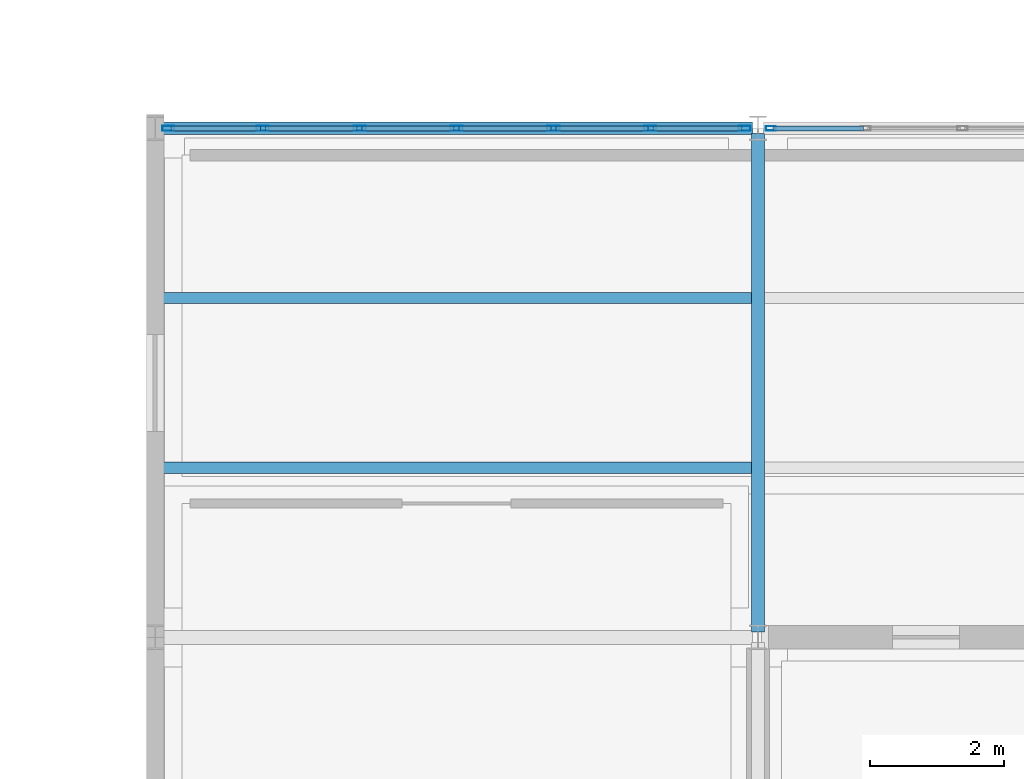
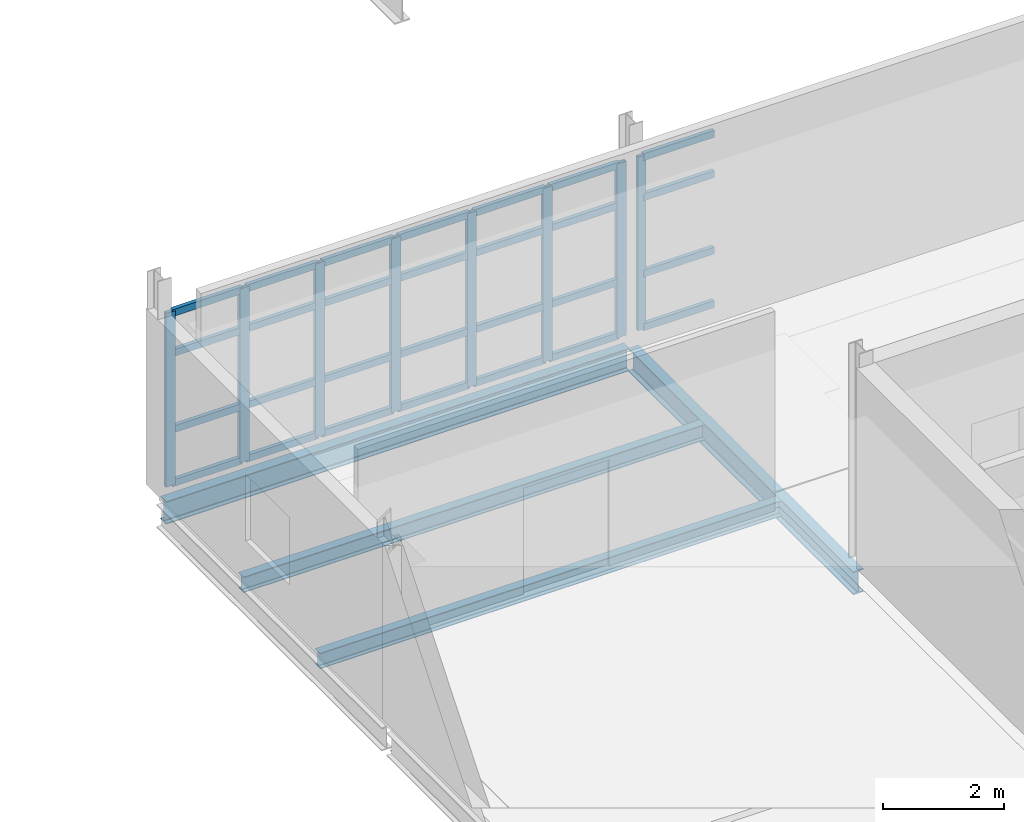
# One storey, part 17 of 96: 36 members, 4 beams, 2 elements without a shape of their own.
"""IFC4 building model written with IfcOpenShell, lengths in metres."""

from ifc_helpers import new_model, si_unit, direction, frame, origin, origin_2d, place, context, subcontext, project, spatial, hollow_rectangle, i_section, extrude, material, material_profile, profile_set, type_object, element, aggregate, save


model = new_model("IFC4")

# Units and contexts
model_context = context("Model", 3, precision=1e-05, world=origin(), true_north=direction((0.0, 1.0)))
body_context = subcontext(model_context, "Body", "Model", "MODEL_VIEW")
ifc_project = project(units=[si_unit("LENGTHUNIT", "METRE"), si_unit("AREAUNIT", "SQUARE_METRE"), si_unit("VOLUMEUNIT", "CUBIC_METRE"), si_unit("PLANEANGLEUNIT", "RADIAN"), si_unit("MASSUNIT", "GRAM", prefix="KILO")], contexts=[model_context])

# Site, building, storey
site_placement = place(None, origin())
site = spatial("IfcSite", under=ifc_project, at=site_placement, CompositionType="ELEMENT")
building_placement = place(site_placement, origin())
building = spatial("IfcBuilding", under=site, at=building_placement, Name="Caisbarro Railhouse Central Library", CompositionType="ELEMENT")
storey_placement = place(building_placement, frame((0.0, 0.0, 13.679931640625)))
storey = spatial("IfcBuildingStorey", under=building, at=storey_placement, Name="L03", CompositionType="ELEMENT", Elevation=13.679931640625)

# Beams
ifc_material_1 = material(Name="Steel ASTM A572 Grade 50", Category="steel")
ifc_material_profile_1 = material_profile(ifc_material_1, i_section(OverallWidth=0.194091796875, OverallDepth=0.468994140625, WebThickness=0.0126953125, FlangeThickness=0.0205078125, FilletRadius=0.01806640625, at=origin_2d()), Name="W460X106.0")
ifc_profile_set_1 = profile_set([ifc_material_profile_1], Name="Steel ASTM A572 Grade 50")
beam_type_1 = type_object("IfcBeamType", Name="BM-G07", PredefinedType="BEAM", material=ifc_profile_set_1)
beam_1_placement = place(storey_placement, frame((63.0, 15.280029296875, -0.474365234375), z_axis=(0.0, 1.0, 0.0), x_axis=(-1.0, 0.0, 0.0)))
element("IfcBeam", 1, at=beam_1_placement, inside=storey, type_object=beam_type_1, Name="G07 beam L03 #1784", PredefinedType="BEAM", context=body_context, shape_type="SweptSolid", body=[
    extrude(i_section(OverallWidth=0.194091796875, OverallDepth=0.468994140625, WebThickness=0.0126953125, FlangeThickness=0.0205078125, FilletRadius=0.01806640625, at=origin_2d()), origin(), (0.0, 0.0, 1.0), 7.43994140625),
])
ifc_material_profile_2 = material_profile(ifc_material_1, i_section(OverallWidth=0.1669921875, OverallDepth=0.31689453125, WebThickness=0.007568359375, FlangeThickness=0.01318359375, FilletRadius=0.011962890625, at=origin_2d()), Name="W310X52.0")
ifc_profile_set_2 = profile_set([ifc_material_profile_2], Name="Steel ASTM A572 Grade 50")
beam_type_2 = type_object("IfcBeamType", Name="BM-J02", PredefinedType="JOIST", material=ifc_profile_set_2)
for number, where, z_axis, x_axis, name in (
    (2, (54.096923828125, 17.7333984375, -0.3984375), (1.0, 0.0, 0.0), (0.0, 1.0, 0.0), "J02 beam L03 #1804"),
    (3, (54.096923828125, 20.2666015625, -0.3984375), (1.0, 0.0, 0.0), (0.0, 1.0, 0.0), "J02 beam L03 #1805"),
):
    element("IfcBeam", number, at=place(storey_placement, frame(where, z_axis=z_axis, x_axis=x_axis)), inside=storey, type_object=beam_type_2, Name=name, PredefinedType="JOIST", context=body_context, shape_type="SweptSolid", body=[
        extrude(i_section(OverallWidth=0.1669921875, OverallDepth=0.31689453125, WebThickness=0.007568359375, FlangeThickness=0.01318359375, FilletRadius=0.011962890625, at=origin_2d()), origin(), (0.0, 0.0, 1.0), 8.80615234375),
    ])
ifc_material_profile_3 = material_profile(ifc_material_1, i_section(OverallWidth=0.18994140625, OverallDepth=0.45703125, WebThickness=0.009033203125, FlangeThickness=0.014404296875, FilletRadius=0.01806640625, at=origin_2d()), Name="W460X74.0")
ifc_profile_set_3 = profile_set([ifc_material_profile_3], Name="Steel ASTM A572 Grade 50")
beam_type_3 = type_object("IfcBeamType", Name="BM-SP01", PredefinedType="SPANDREL", material=ifc_profile_set_3)
beam_2_placement = place(storey_placement, frame((54.080078125, 22.800048828125, -0.468505859375), z_axis=(1.0, 0.0, 0.0), x_axis=(0.0, 1.0, 0.0)))
element("IfcBeam", 4, at=beam_2_placement, inside=storey, type_object=beam_type_3, Name="SP01 beam L03 #1773", PredefinedType="SPANDREL", context=body_context, shape_type="SweptSolid", body=[
    extrude(i_section(OverallWidth=0.18994140625, OverallDepth=0.45703125, WebThickness=0.009033203125, FlangeThickness=0.014404296875, FilletRadius=0.01806640625, at=origin_2d()), origin(), (0.0, 0.0, 1.0), 8.83984375),
])

# Curtain wall, members
ifc_material_2 = material(Name="Anodised architectural aluminium", Category="aluminium")
curtain_wall_type = type_object("IfcCurtainWallType", Name="CW-CW02", PredefinedType="NOTDEFINED", material=ifc_material_2)
curtain_wall_1_placement = place(storey_placement, origin())
curtain_wall_1 = element("IfcCurtainWall", 5, at=curtain_wall_1_placement, inside=storey, type_object=curtain_wall_type, Name="CW02 curtain wall L03 #62", PredefinedType="NOTDEFINED")
ifc_material_profile_4 = material_profile(ifc_material_2, hollow_rectangle(XDim=0.074951171875, YDim=0.179931640625, WallThickness=0.00439453125, at=origin_2d()), Name="ALU-MUL-75X180")
ifc_profile_set_4 = profile_set([ifc_material_profile_4], Name="Anodised architectural aluminium")
member_type_1 = type_object("IfcMemberType", Name="CWM-M01", PredefinedType="MULLION", material=ifc_profile_set_4)
member_1_placement = place(storey_placement, frame((54.197509765625, 22.800048828125, 0.0), z_axis=(0.0, 0.0, 1.0), x_axis=(0.0, 1.0, 0.0)))
member_1 = element("IfcMember", 6, at=member_1_placement, type_object=member_type_1, Name="CW02 mullion 1", PredefinedType="MULLION", context=body_context, shape_type="SweptSolid", body=[
    extrude(hollow_rectangle(XDim=0.074951171875, YDim=0.179931640625, WallThickness=0.00439453125, at=origin_2d()), origin(), (0.0, 0.0, 1.0), 3.510009765625),
])
member_2_placement = place(storey_placement, frame((55.606689453125, 22.800048828125, 0.0), z_axis=(0.0, 0.0, 1.0), x_axis=(0.0, 1.0, 0.0)))
member_2 = element("IfcMember", 7, at=member_2_placement, type_object=member_type_1, Name="CW02 mullion 2", PredefinedType="MULLION", context=body_context, shape_type="SweptSolid", body=[
    extrude(hollow_rectangle(XDim=0.074951171875, YDim=0.179931640625, WallThickness=0.00439453125, at=origin_2d()), origin(), (0.0, 0.0, 1.0), 3.510009765625),
])
member_3_placement = place(storey_placement, frame((57.05322265625, 22.800048828125, 0.0), z_axis=(0.0, 0.0, 1.0), x_axis=(0.0, 1.0, 0.0)))
member_3 = element("IfcMember", 8, at=member_3_placement, type_object=member_type_1, Name="CW02 mullion 3", PredefinedType="MULLION", context=body_context, shape_type="SweptSolid", body=[
    extrude(hollow_rectangle(XDim=0.074951171875, YDim=0.179931640625, WallThickness=0.00439453125, at=origin_2d()), origin(), (0.0, 0.0, 1.0), 3.510009765625),
])
member_4_placement = place(storey_placement, frame((58.5, 22.800048828125, 0.0), z_axis=(0.0, 0.0, 1.0), x_axis=(0.0, 1.0, 0.0)))
member_4 = element("IfcMember", 9, at=member_4_placement, type_object=member_type_1, Name="CW02 mullion 4", PredefinedType="MULLION", context=body_context, shape_type="SweptSolid", body=[
    extrude(hollow_rectangle(XDim=0.074951171875, YDim=0.179931640625, WallThickness=0.00439453125, at=origin_2d()), origin(), (0.0, 0.0, 1.0), 3.510009765625),
])
member_5_placement = place(storey_placement, frame((59.94677734375, 22.800048828125, 0.0), z_axis=(0.0, 0.0, 1.0), x_axis=(0.0, 1.0, 0.0)))
member_5 = element("IfcMember", 10, at=member_5_placement, type_object=member_type_1, Name="CW02 mullion 5", PredefinedType="MULLION", context=body_context, shape_type="SweptSolid", body=[
    extrude(hollow_rectangle(XDim=0.074951171875, YDim=0.179931640625, WallThickness=0.00439453125, at=origin_2d()), origin(), (0.0, 0.0, 1.0), 3.510009765625),
])
member_6_placement = place(storey_placement, frame((61.393310546875, 22.800048828125, 0.0), z_axis=(0.0, 0.0, 1.0), x_axis=(0.0, 1.0, 0.0)))
member_6 = element("IfcMember", 11, at=member_6_placement, type_object=member_type_1, Name="CW02 mullion 6", PredefinedType="MULLION", context=body_context, shape_type="SweptSolid", body=[
    extrude(hollow_rectangle(XDim=0.074951171875, YDim=0.179931640625, WallThickness=0.00439453125, at=origin_2d()), origin(), (0.0, 0.0, 1.0), 3.510009765625),
])
member_7_placement = place(storey_placement, frame((62.802490234375, 22.800048828125, 0.0), z_axis=(0.0, 0.0, 1.0), x_axis=(0.0, 1.0, 0.0)))
member_7 = element("IfcMember", 12, at=member_7_placement, type_object=member_type_1, Name="CW02 mullion 7", PredefinedType="MULLION", context=body_context, shape_type="SweptSolid", body=[
    extrude(hollow_rectangle(XDim=0.074951171875, YDim=0.179931640625, WallThickness=0.00439453125, at=origin_2d()), origin(), (0.0, 0.0, 1.0), 3.510009765625),
])

# Curtain wall, member
curtain_wall_2_placement = place(storey_placement, origin())
curtain_wall_2 = element("IfcCurtainWall", 13, at=curtain_wall_2_placement, inside=storey, type_object=curtain_wall_type, Name="CW02 curtain wall L03 #63", PredefinedType="NOTDEFINED")
ifc_material_profile_5 = material_profile(ifc_material_2, hollow_rectangle(XDim=0.06494140625, YDim=0.14990234375, WallThickness=0.00390625, at=origin_2d()), Name="ALU-MUL-65X150")
ifc_profile_set_5 = profile_set([ifc_material_profile_5], Name="Anodised architectural aluminium")
member_type_2 = type_object("IfcMemberType", Name="CWM-M02", PredefinedType="MULLION", material=ifc_profile_set_5)
member_8_placement = place(storey_placement, frame((63.1923828125, 22.800048828125, 0.0), z_axis=(0.0, 0.0, 1.0), x_axis=(0.0, 1.0, 0.0)))
member_8 = element("IfcMember", 14, at=member_8_placement, type_object=member_type_2, Name="CW02 mullion 1", PredefinedType="MULLION", context=body_context, shape_type="SweptSolid", body=[
    extrude(hollow_rectangle(XDim=0.06494140625, YDim=0.14990234375, WallThickness=0.00390625, at=origin_2d()), origin(), (0.0, 0.0, 1.0), 3.510009765625),
])

# Member
ifc_material_profile_6 = material_profile(ifc_material_2, hollow_rectangle(XDim=0.074951171875, YDim=0.139892578125, WallThickness=0.00390625, at=origin_2d()), Name="ALU-TRN-75X140")
ifc_profile_set_6 = profile_set([ifc_material_profile_6], Name="Anodised architectural aluminium")
member_type_3 = type_object("IfcMemberType", Name="CWT-T01", PredefinedType="USERDEFINED", material=ifc_profile_set_6)
member_9_placement = place(storey_placement, frame((54.235107421875, 22.800048828125, 0.03759765625), z_axis=(1.0, 0.0, 0.0), x_axis=(0.0, 1.0, 0.0)))
member_9 = element("IfcMember", 15, at=member_9_placement, type_object=member_type_3, Name="CW02 transom 1.1", ObjectType="TRANSOM", PredefinedType="USERDEFINED", context=body_context, shape_type="SweptSolid", body=[
    extrude(hollow_rectangle(XDim=0.074951171875, YDim=0.139892578125, WallThickness=0.00390625, at=origin_2d()), origin(), (0.0, 0.0, 1.0), 1.333984375),
])

member_10_placement = place(storey_placement, frame((54.235107421875, 22.800048828125, 1.1201171875), z_axis=(1.0, 0.0, 0.0), x_axis=(0.0, 1.0, 0.0)))
member_10 = element("IfcMember", 16, at=member_10_placement, type_object=member_type_3, Name="CW02 transom 1.2", ObjectType="TRANSOM", PredefinedType="USERDEFINED", context=body_context, shape_type="SweptSolid", body=[
    extrude(hollow_rectangle(XDim=0.074951171875, YDim=0.139892578125, WallThickness=0.00390625, at=origin_2d()), origin(), (0.0, 0.0, 1.0), 1.333984375),
])

member_11_placement = place(storey_placement, frame((54.235107421875, 22.800048828125, 2.66015625), z_axis=(1.0, 0.0, 0.0), x_axis=(0.0, 1.0, 0.0)))
member_11 = element("IfcMember", 17, at=member_11_placement, type_object=member_type_3, Name="CW02 transom 1.3", ObjectType="TRANSOM", PredefinedType="USERDEFINED", context=body_context, shape_type="SweptSolid", body=[
    extrude(hollow_rectangle(XDim=0.074951171875, YDim=0.139892578125, WallThickness=0.00390625, at=origin_2d()), origin(), (0.0, 0.0, 1.0), 1.333984375),
])

member_12_placement = place(storey_placement, frame((54.235107421875, 22.800048828125, 3.47265625), z_axis=(1.0, 0.0, 0.0), x_axis=(0.0, 1.0, 0.0)))
member_12 = element("IfcMember", 18, at=member_12_placement, type_object=member_type_3, Name="CW02 transom 1.4", ObjectType="TRANSOM", PredefinedType="USERDEFINED", context=body_context, shape_type="SweptSolid", body=[
    extrude(hollow_rectangle(XDim=0.074951171875, YDim=0.139892578125, WallThickness=0.00390625, at=origin_2d()), origin(), (0.0, 0.0, 1.0), 1.333984375),
])

member_13_placement = place(storey_placement, frame((55.644287109375, 22.800048828125, 0.03759765625), z_axis=(1.0, 0.0, 0.0), x_axis=(0.0, 1.0, 0.0)))
member_13 = element("IfcMember", 19, at=member_13_placement, type_object=member_type_3, Name="CW02 transom 2.1", ObjectType="TRANSOM", PredefinedType="USERDEFINED", context=body_context, shape_type="SweptSolid", body=[
    extrude(hollow_rectangle(XDim=0.074951171875, YDim=0.139892578125, WallThickness=0.00390625, at=origin_2d()), origin(), (0.0, 0.0, 1.0), 1.37158203125),
])

member_14_placement = place(storey_placement, frame((55.644287109375, 22.800048828125, 1.1201171875), z_axis=(1.0, 0.0, 0.0), x_axis=(0.0, 1.0, 0.0)))
member_14 = element("IfcMember", 20, at=member_14_placement, type_object=member_type_3, Name="CW02 transom 2.2", ObjectType="TRANSOM", PredefinedType="USERDEFINED", context=body_context, shape_type="SweptSolid", body=[
    extrude(hollow_rectangle(XDim=0.074951171875, YDim=0.139892578125, WallThickness=0.00390625, at=origin_2d()), origin(), (0.0, 0.0, 1.0), 1.37158203125),
])

member_15_placement = place(storey_placement, frame((55.644287109375, 22.800048828125, 2.66015625), z_axis=(1.0, 0.0, 0.0), x_axis=(0.0, 1.0, 0.0)))
member_15 = element("IfcMember", 21, at=member_15_placement, type_object=member_type_3, Name="CW02 transom 2.3", ObjectType="TRANSOM", PredefinedType="USERDEFINED", context=body_context, shape_type="SweptSolid", body=[
    extrude(hollow_rectangle(XDim=0.074951171875, YDim=0.139892578125, WallThickness=0.00390625, at=origin_2d()), origin(), (0.0, 0.0, 1.0), 1.37158203125),
])

member_16_placement = place(storey_placement, frame((55.644287109375, 22.800048828125, 3.47265625), z_axis=(1.0, 0.0, 0.0), x_axis=(0.0, 1.0, 0.0)))
member_16 = element("IfcMember", 22, at=member_16_placement, type_object=member_type_3, Name="CW02 transom 2.4", ObjectType="TRANSOM", PredefinedType="USERDEFINED", context=body_context, shape_type="SweptSolid", body=[
    extrude(hollow_rectangle(XDim=0.074951171875, YDim=0.139892578125, WallThickness=0.00390625, at=origin_2d()), origin(), (0.0, 0.0, 1.0), 1.37158203125),
])

member_17_placement = place(storey_placement, frame((57.0908203125, 22.800048828125, 0.03759765625), z_axis=(1.0, 0.0, 0.0), x_axis=(0.0, 1.0, 0.0)))
member_17 = element("IfcMember", 23, at=member_17_placement, type_object=member_type_3, Name="CW02 transom 3.1", ObjectType="TRANSOM", PredefinedType="USERDEFINED", context=body_context, shape_type="SweptSolid", body=[
    extrude(hollow_rectangle(XDim=0.074951171875, YDim=0.139892578125, WallThickness=0.00390625, at=origin_2d()), origin(), (0.0, 0.0, 1.0), 1.37158203125),
])

member_18_placement = place(storey_placement, frame((57.0908203125, 22.800048828125, 1.1201171875), z_axis=(1.0, 0.0, 0.0), x_axis=(0.0, 1.0, 0.0)))
member_18 = element("IfcMember", 24, at=member_18_placement, type_object=member_type_3, Name="CW02 transom 3.2", ObjectType="TRANSOM", PredefinedType="USERDEFINED", context=body_context, shape_type="SweptSolid", body=[
    extrude(hollow_rectangle(XDim=0.074951171875, YDim=0.139892578125, WallThickness=0.00390625, at=origin_2d()), origin(), (0.0, 0.0, 1.0), 1.37158203125),
])

member_19_placement = place(storey_placement, frame((57.0908203125, 22.800048828125, 2.66015625), z_axis=(1.0, 0.0, 0.0), x_axis=(0.0, 1.0, 0.0)))
member_19 = element("IfcMember", 25, at=member_19_placement, type_object=member_type_3, Name="CW02 transom 3.3", ObjectType="TRANSOM", PredefinedType="USERDEFINED", context=body_context, shape_type="SweptSolid", body=[
    extrude(hollow_rectangle(XDim=0.074951171875, YDim=0.139892578125, WallThickness=0.00390625, at=origin_2d()), origin(), (0.0, 0.0, 1.0), 1.37158203125),
])

member_20_placement = place(storey_placement, frame((57.0908203125, 22.800048828125, 3.47265625), z_axis=(1.0, 0.0, 0.0), x_axis=(0.0, 1.0, 0.0)))
member_20 = element("IfcMember", 26, at=member_20_placement, type_object=member_type_3, Name="CW02 transom 3.4", ObjectType="TRANSOM", PredefinedType="USERDEFINED", context=body_context, shape_type="SweptSolid", body=[
    extrude(hollow_rectangle(XDim=0.074951171875, YDim=0.139892578125, WallThickness=0.00390625, at=origin_2d()), origin(), (0.0, 0.0, 1.0), 1.37158203125),
])

member_21_placement = place(storey_placement, frame((58.53759765625, 22.800048828125, 0.03759765625), z_axis=(1.0, 0.0, 0.0), x_axis=(0.0, 1.0, 0.0)))
member_21 = element("IfcMember", 27, at=member_21_placement, type_object=member_type_3, Name="CW02 transom 4.1", ObjectType="TRANSOM", PredefinedType="USERDEFINED", context=body_context, shape_type="SweptSolid", body=[
    extrude(hollow_rectangle(XDim=0.074951171875, YDim=0.139892578125, WallThickness=0.00390625, at=origin_2d()), origin(), (0.0, 0.0, 1.0), 1.37158203125),
])

member_22_placement = place(storey_placement, frame((58.53759765625, 22.800048828125, 1.1201171875), z_axis=(1.0, 0.0, 0.0), x_axis=(0.0, 1.0, 0.0)))
member_22 = element("IfcMember", 28, at=member_22_placement, type_object=member_type_3, Name="CW02 transom 4.2", ObjectType="TRANSOM", PredefinedType="USERDEFINED", context=body_context, shape_type="SweptSolid", body=[
    extrude(hollow_rectangle(XDim=0.074951171875, YDim=0.139892578125, WallThickness=0.00390625, at=origin_2d()), origin(), (0.0, 0.0, 1.0), 1.37158203125),
])

member_23_placement = place(storey_placement, frame((58.53759765625, 22.800048828125, 2.66015625), z_axis=(1.0, 0.0, 0.0), x_axis=(0.0, 1.0, 0.0)))
member_23 = element("IfcMember", 29, at=member_23_placement, type_object=member_type_3, Name="CW02 transom 4.3", ObjectType="TRANSOM", PredefinedType="USERDEFINED", context=body_context, shape_type="SweptSolid", body=[
    extrude(hollow_rectangle(XDim=0.074951171875, YDim=0.139892578125, WallThickness=0.00390625, at=origin_2d()), origin(), (0.0, 0.0, 1.0), 1.37158203125),
])

member_24_placement = place(storey_placement, frame((58.53759765625, 22.800048828125, 3.47265625), z_axis=(1.0, 0.0, 0.0), x_axis=(0.0, 1.0, 0.0)))
member_24 = element("IfcMember", 30, at=member_24_placement, type_object=member_type_3, Name="CW02 transom 4.4", ObjectType="TRANSOM", PredefinedType="USERDEFINED", context=body_context, shape_type="SweptSolid", body=[
    extrude(hollow_rectangle(XDim=0.074951171875, YDim=0.139892578125, WallThickness=0.00390625, at=origin_2d()), origin(), (0.0, 0.0, 1.0), 1.37158203125),
])

member_25_placement = place(storey_placement, frame((59.984130859375, 22.800048828125, 0.03759765625), z_axis=(1.0, 0.0, 0.0), x_axis=(0.0, 1.0, 0.0)))
member_25 = element("IfcMember", 31, at=member_25_placement, type_object=member_type_3, Name="CW02 transom 5.1", ObjectType="TRANSOM", PredefinedType="USERDEFINED", context=body_context, shape_type="SweptSolid", body=[
    extrude(hollow_rectangle(XDim=0.074951171875, YDim=0.139892578125, WallThickness=0.00390625, at=origin_2d()), origin(), (0.0, 0.0, 1.0), 1.37158203125),
])

member_26_placement = place(storey_placement, frame((59.984130859375, 22.800048828125, 1.1201171875), z_axis=(1.0, 0.0, 0.0), x_axis=(0.0, 1.0, 0.0)))
member_26 = element("IfcMember", 32, at=member_26_placement, type_object=member_type_3, Name="CW02 transom 5.2", ObjectType="TRANSOM", PredefinedType="USERDEFINED", context=body_context, shape_type="SweptSolid", body=[
    extrude(hollow_rectangle(XDim=0.074951171875, YDim=0.139892578125, WallThickness=0.00390625, at=origin_2d()), origin(), (0.0, 0.0, 1.0), 1.37158203125),
])

member_27_placement = place(storey_placement, frame((59.984130859375, 22.800048828125, 2.66015625), z_axis=(1.0, 0.0, 0.0), x_axis=(0.0, 1.0, 0.0)))
member_27 = element("IfcMember", 33, at=member_27_placement, type_object=member_type_3, Name="CW02 transom 5.3", ObjectType="TRANSOM", PredefinedType="USERDEFINED", context=body_context, shape_type="SweptSolid", body=[
    extrude(hollow_rectangle(XDim=0.074951171875, YDim=0.139892578125, WallThickness=0.00390625, at=origin_2d()), origin(), (0.0, 0.0, 1.0), 1.37158203125),
])

member_28_placement = place(storey_placement, frame((59.984130859375, 22.800048828125, 3.47265625), z_axis=(1.0, 0.0, 0.0), x_axis=(0.0, 1.0, 0.0)))
member_28 = element("IfcMember", 34, at=member_28_placement, type_object=member_type_3, Name="CW02 transom 5.4", ObjectType="TRANSOM", PredefinedType="USERDEFINED", context=body_context, shape_type="SweptSolid", body=[
    extrude(hollow_rectangle(XDim=0.074951171875, YDim=0.139892578125, WallThickness=0.00390625, at=origin_2d()), origin(), (0.0, 0.0, 1.0), 1.37158203125),
])

member_29_placement = place(storey_placement, frame((61.430908203125, 22.800048828125, 0.03759765625), z_axis=(1.0, 0.0, 0.0), x_axis=(0.0, 1.0, 0.0)))
member_29 = element("IfcMember", 35, at=member_29_placement, type_object=member_type_3, Name="CW02 transom 6.1", ObjectType="TRANSOM", PredefinedType="USERDEFINED", context=body_context, shape_type="SweptSolid", body=[
    extrude(hollow_rectangle(XDim=0.074951171875, YDim=0.139892578125, WallThickness=0.00390625, at=origin_2d()), origin(), (0.0, 0.0, 1.0), 1.333984375),
])

member_30_placement = place(storey_placement, frame((61.430908203125, 22.800048828125, 1.1201171875), z_axis=(1.0, 0.0, 0.0), x_axis=(0.0, 1.0, 0.0)))
member_30 = element("IfcMember", 36, at=member_30_placement, type_object=member_type_3, Name="CW02 transom 6.2", ObjectType="TRANSOM", PredefinedType="USERDEFINED", context=body_context, shape_type="SweptSolid", body=[
    extrude(hollow_rectangle(XDim=0.074951171875, YDim=0.139892578125, WallThickness=0.00390625, at=origin_2d()), origin(), (0.0, 0.0, 1.0), 1.333984375),
])

member_31_placement = place(storey_placement, frame((61.430908203125, 22.800048828125, 2.66015625), z_axis=(1.0, 0.0, 0.0), x_axis=(0.0, 1.0, 0.0)))
member_31 = element("IfcMember", 37, at=member_31_placement, type_object=member_type_3, Name="CW02 transom 6.3", ObjectType="TRANSOM", PredefinedType="USERDEFINED", context=body_context, shape_type="SweptSolid", body=[
    extrude(hollow_rectangle(XDim=0.074951171875, YDim=0.139892578125, WallThickness=0.00390625, at=origin_2d()), origin(), (0.0, 0.0, 1.0), 1.333984375),
])

member_32_placement = place(storey_placement, frame((61.430908203125, 22.800048828125, 3.47265625), z_axis=(1.0, 0.0, 0.0), x_axis=(0.0, 1.0, 0.0)))
member_32 = element("IfcMember", 38, at=member_32_placement, type_object=member_type_3, Name="CW02 transom 6.4", ObjectType="TRANSOM", PredefinedType="USERDEFINED", context=body_context, shape_type="SweptSolid", body=[
    extrude(hollow_rectangle(XDim=0.074951171875, YDim=0.139892578125, WallThickness=0.00390625, at=origin_2d()), origin(), (0.0, 0.0, 1.0), 1.333984375),
])

aggregate(curtain_wall_1, [member_1, member_2, member_3, member_4, member_5, member_6, member_7, member_9, member_10, member_11, member_12, member_13, member_14, member_15, member_16, member_17, member_18, member_19, member_20, member_21, member_22, member_23, member_24, member_25, member_26, member_27, member_28, member_29, member_30, member_31, member_32])

member_33_placement = place(storey_placement, frame((63.22509765625, 22.800048828125, 0.03759765625), z_axis=(1.0, 0.0, 0.0), x_axis=(0.0, 1.0, 0.0)))
member_33 = element("IfcMember", 39, at=member_33_placement, type_object=member_type_3, Name="CW02 transom 1.1", ObjectType="TRANSOM", PredefinedType="USERDEFINED", context=body_context, shape_type="SweptSolid", body=[
    extrude(hollow_rectangle(XDim=0.074951171875, YDim=0.139892578125, WallThickness=0.00390625, at=origin_2d()), origin(), (0.0, 0.0, 1.0), 1.34912109375),
])

member_34_placement = place(storey_placement, frame((63.22509765625, 22.800048828125, 1.1201171875), z_axis=(1.0, 0.0, 0.0), x_axis=(0.0, 1.0, 0.0)))
member_34 = element("IfcMember", 40, at=member_34_placement, type_object=member_type_3, Name="CW02 transom 1.2", ObjectType="TRANSOM", PredefinedType="USERDEFINED", context=body_context, shape_type="SweptSolid", body=[
    extrude(hollow_rectangle(XDim=0.074951171875, YDim=0.139892578125, WallThickness=0.00390625, at=origin_2d()), origin(), (0.0, 0.0, 1.0), 1.34912109375),
])

member_35_placement = place(storey_placement, frame((63.22509765625, 22.800048828125, 2.66015625), z_axis=(1.0, 0.0, 0.0), x_axis=(0.0, 1.0, 0.0)))
member_35 = element("IfcMember", 41, at=member_35_placement, type_object=member_type_3, Name="CW02 transom 1.3", ObjectType="TRANSOM", PredefinedType="USERDEFINED", context=body_context, shape_type="SweptSolid", body=[
    extrude(hollow_rectangle(XDim=0.074951171875, YDim=0.139892578125, WallThickness=0.00390625, at=origin_2d()), origin(), (0.0, 0.0, 1.0), 1.34912109375),
])

member_36_placement = place(storey_placement, frame((63.22509765625, 22.800048828125, 3.47265625), z_axis=(1.0, 0.0, 0.0), x_axis=(0.0, 1.0, 0.0)))
member_36 = element("IfcMember", 42, at=member_36_placement, type_object=member_type_3, Name="CW02 transom 1.4", ObjectType="TRANSOM", PredefinedType="USERDEFINED", context=body_context, shape_type="SweptSolid", body=[
    extrude(hollow_rectangle(XDim=0.074951171875, YDim=0.139892578125, WallThickness=0.00390625, at=origin_2d()), origin(), (0.0, 0.0, 1.0), 1.34912109375),
])

aggregate(curtain_wall_2, [member_8, member_33, member_34, member_35, member_36])

save(model, "model.ifc")
